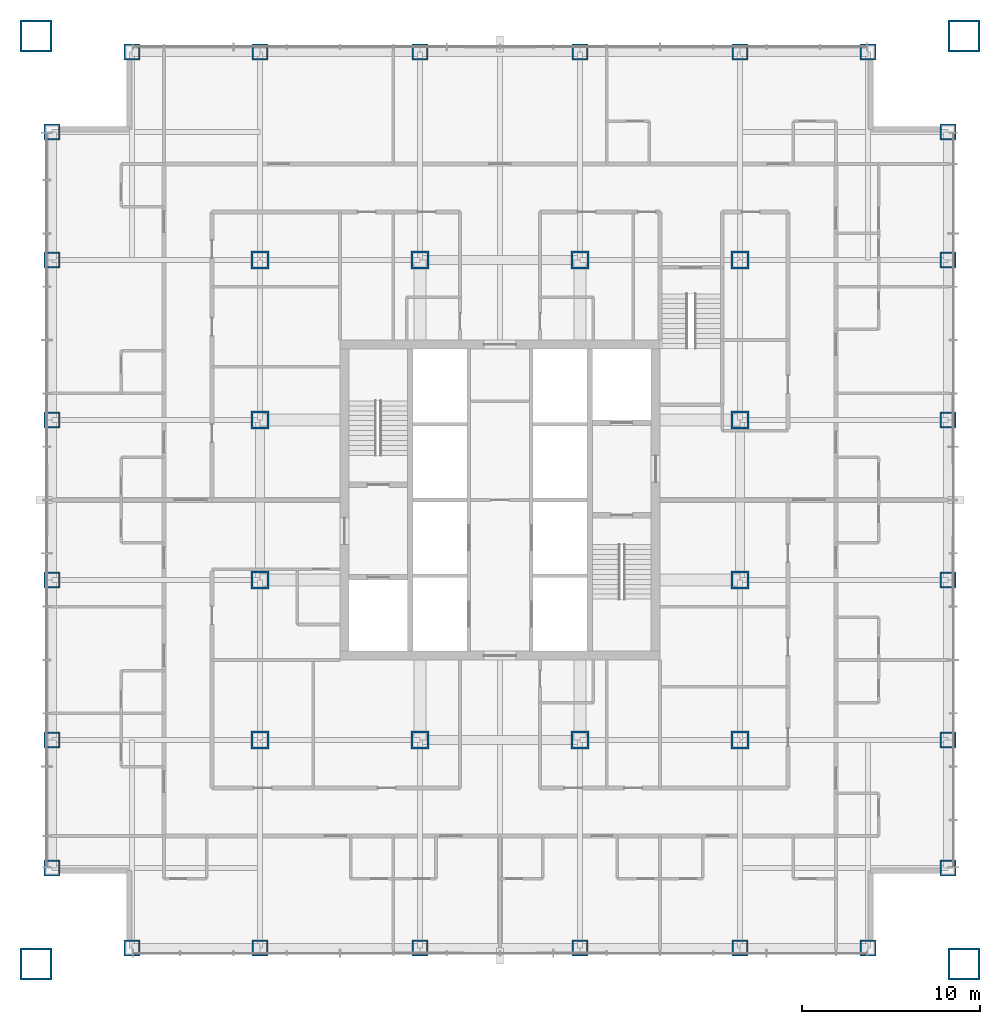
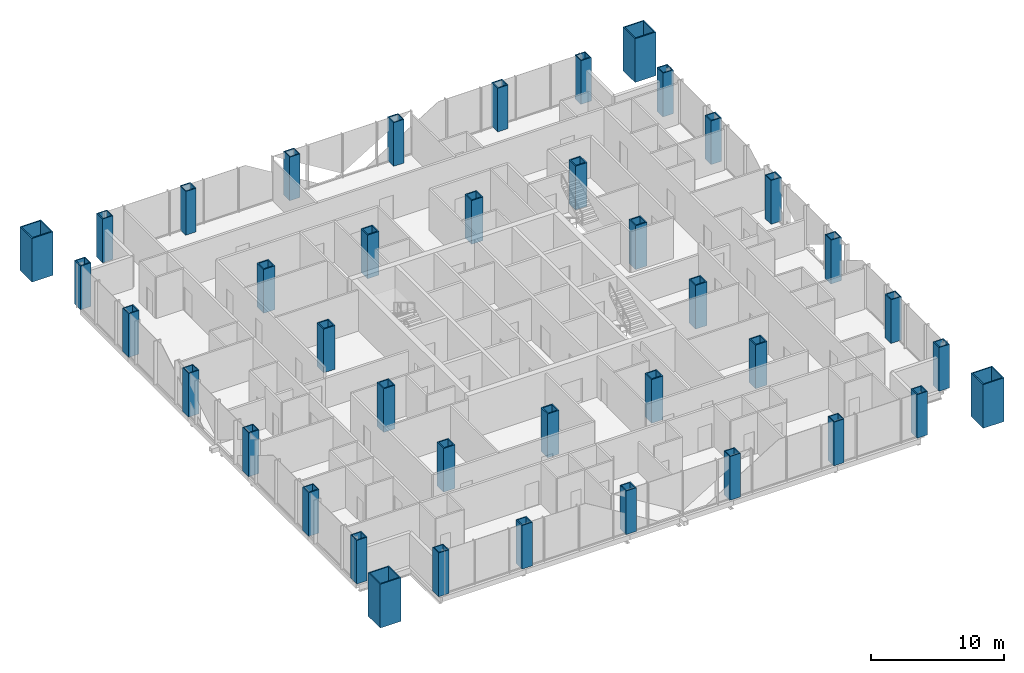
# One storey, part 1 of 13: 40 columns.
"""IFC4 building model written with IfcOpenShell, lengths in metres."""

from ifc_helpers import new_model, si_unit, direction, frame, origin, origin_2d, place, context, subcontext, project, spatial, hollow_rectangle, extrude, material, material_profile, profile_set, type_object, element, save


model = new_model("IFC4")

# Units and contexts
model_context = context("Model", 3, precision=1e-05, world=origin(), true_north=direction((0.0, 1.0)))
body_context = subcontext(model_context, "Body", "Model", "MODEL_VIEW")
ifc_project = project(units=[si_unit("LENGTHUNIT", "METRE"), si_unit("AREAUNIT", "SQUARE_METRE"), si_unit("VOLUMEUNIT", "CUBIC_METRE"), si_unit("PLANEANGLEUNIT", "RADIAN"), si_unit("MASSUNIT", "GRAM", prefix="KILO")], contexts=[model_context])

# Site, building, storey
site_placement = place(None, origin())
site = spatial("IfcSite", under=ifc_project, at=site_placement, CompositionType="ELEMENT")
building_placement = place(site_placement, origin())
building = spatial("IfcBuilding", under=site, at=building_placement, Name="Malebo Sky Hospital", CompositionType="ELEMENT")
storey_placement = place(building_placement, frame((0.0, 0.0, 79.0)))
storey = spatial("IfcBuildingStorey", under=building, at=storey_placement, Name="L18", CompositionType="ELEMENT", Elevation=79.0)

# Columns
ifc_material = material(Name="Steel S460", Category="steel")
ifc_material_profile_1 = material_profile(ifc_material, hollow_rectangle(XDim=1.0, YDim=1.0, WallThickness=0.10009765625, at=origin_2d()), Name="BOX 1000x1000x100")
ifc_profile_set_1 = profile_set([ifc_material_profile_1], Name="Steel S460")
column_type_1 = type_object("IfcColumnType", Name="INNER COLUMN BOX 1000x1000x100", PredefinedType="COLUMN", material=ifc_profile_set_1)
for number, where, z_axis, x_axis, name in (
    (1, (46.5, 48.5, 0.0), (0.0, 0.0, 1.0), (1.0, 0.0, 0.0), "Column IC9 L18"),
    (2, (73.5, 48.5, 0.0), (0.0, 0.0, 1.0), (1.0, 0.0, 0.0), "Column IC9 L18"),
    (3, (73.5, 75.5, 0.0), (0.0, 0.0, 1.0), (1.0, 0.0, 0.0), "Column IC9 L18"),
    (4, (46.5, 75.5, 0.0), (0.0, 0.0, 1.0), (1.0, 0.0, 0.0), "Column IC9 L18"),
    (5, (55.5, 48.5, 0.0), (0.0, 0.0, 1.0), (1.0, 0.0, 0.0), "Column IC9 L18"),
    (6, (64.5, 48.5, 0.0), (0.0, 0.0, 1.0), (1.0, 0.0, 0.0), "Column IC9 L18"),
    (7, (55.5, 75.5, 0.0), (0.0, 0.0, 1.0), (1.0, 0.0, 0.0), "Column IC9 L18"),
    (8, (64.5, 75.5, 0.0), (0.0, 0.0, 1.0), (1.0, 0.0, 0.0), "Column IC9 L18"),
    (9, (46.5, 57.5, 0.0), (0.0, 0.0, 1.0), (1.0, 0.0, 0.0), "Column IC9 L18"),
    (10, (46.5, 66.5, 0.0), (0.0, 0.0, 1.0), (1.0, 0.0, 0.0), "Column IC9 L18"),
    (11, (73.5, 57.5, 0.0), (0.0, 0.0, 1.0), (1.0, 0.0, 0.0), "Column IC9 L18"),
    (12, (73.5, 66.5, 0.0), (0.0, 0.0, 1.0), (1.0, 0.0, 0.0), "Column IC9 L18"),
):
    element("IfcColumn", number, at=place(storey_placement, frame(where, z_axis=z_axis, x_axis=x_axis)), inside=storey, type_object=column_type_1, Name=name, PredefinedType="COLUMN", context=body_context, shape_type="SweptSolid", body=[
        extrude(hollow_rectangle(XDim=1.0, YDim=1.0, WallThickness=0.10009765625, at=origin_2d()), origin(), (0.0, 0.0, 1.0), 4.0),
    ])
ifc_material_profile_2 = material_profile(ifc_material, hollow_rectangle(XDim=1.800048828125, YDim=1.800048828125, WallThickness=0.10009765625, at=origin_2d()), Name="BOX 1800x1800x100")
ifc_profile_set_2 = profile_set([ifc_material_profile_2], Name="Steel S460")
column_type_2 = type_object("IfcColumnType", Name="MEGA COLUMN BOX 1800x1800x100", PredefinedType="COLUMN", material=ifc_profile_set_2)
for number, where, z_axis, x_axis, name in (
    (13, (33.89990234375, 35.89990234375, 0.0), (0.0, 0.0, 1.0), (1.0, 0.0, 0.0), "Mega column SW L18"),
    (14, (86.10009765625, 35.89990234375, 0.0), (0.0, 0.0, 1.0), (1.0, 0.0, 0.0), "Mega column SE L18"),
    (15, (86.10009765625, 88.10009765625, 0.0), (0.0, 0.0, 1.0), (1.0, 0.0, 0.0), "Mega column NE L18"),
    (16, (33.89990234375, 88.10009765625, 0.0), (0.0, 0.0, 1.0), (1.0, 0.0, 0.0), "Mega column NW L18"),
):
    element("IfcColumn", number, at=place(storey_placement, frame(where, z_axis=z_axis, x_axis=x_axis)), inside=storey, type_object=column_type_2, Name=name, PredefinedType="COLUMN", context=body_context, shape_type="SweptSolid", body=[
        extrude(hollow_rectangle(XDim=1.800048828125, YDim=1.800048828125, WallThickness=0.10009765625, at=origin_2d()), origin(), (0.0, 0.0, 1.0), 4.0),
    ])
ifc_material_profile_3 = material_profile(ifc_material, hollow_rectangle(XDim=0.89990234375, YDim=0.89990234375, WallThickness=0.080078125, at=origin_2d()), Name="BOX 900x900x80")
ifc_profile_set_3 = profile_set([ifc_material_profile_3], Name="Steel S460")
column_type_3 = type_object("IfcColumnType", Name="PERIMETER COLUMN BOX 900x900x80", PredefinedType="COLUMN", material=ifc_profile_set_3)
for number, where, z_axis, x_axis, name in (
    (17, (39.300048828125, 36.800048828125, 0.0), (0.0, 0.0, 1.0), (1.0, 0.0, 0.0), "Column PC8 L18"),
    (18, (39.300048828125, 87.199951171875, 0.0), (0.0, 0.0, 1.0), (1.0, 0.0, 0.0), "Column PC8 L18"),
    (19, (34.800048828125, 41.300048828125, 0.0), (0.0, 0.0, 1.0), (1.0, 0.0, 0.0), "Column PC8 L18"),
    (20, (85.199951171875, 41.300048828125, 0.0), (0.0, 0.0, 1.0), (1.0, 0.0, 0.0), "Column PC8 L18"),
    (21, (46.5, 36.800048828125, 0.0), (0.0, 0.0, 1.0), (1.0, 0.0, 0.0), "Column PC8 L18"),
    (22, (46.5, 87.199951171875, 0.0), (0.0, 0.0, 1.0), (1.0, 0.0, 0.0), "Column PC8 L18"),
    (23, (34.800048828125, 48.5, 0.0), (0.0, 0.0, 1.0), (1.0, 0.0, 0.0), "Column PC8 L18"),
    (24, (85.199951171875, 48.5, 0.0), (0.0, 0.0, 1.0), (1.0, 0.0, 0.0), "Column PC8 L18"),
    (25, (55.5, 36.800048828125, 0.0), (0.0, 0.0, 1.0), (1.0, 0.0, 0.0), "Column PC8 L18"),
    (26, (55.5, 87.199951171875, 0.0), (0.0, 0.0, 1.0), (1.0, 0.0, 0.0), "Column PC8 L18"),
    (27, (34.800048828125, 57.5, 0.0), (0.0, 0.0, 1.0), (1.0, 0.0, 0.0), "Column PC8 L18"),
    (28, (85.199951171875, 57.5, 0.0), (0.0, 0.0, 1.0), (1.0, 0.0, 0.0), "Column PC8 L18"),
    (29, (64.5, 36.800048828125, 0.0), (0.0, 0.0, 1.0), (1.0, 0.0, 0.0), "Column PC8 L18"),
    (30, (64.5, 87.199951171875, 0.0), (0.0, 0.0, 1.0), (1.0, 0.0, 0.0), "Column PC8 L18"),
    (31, (34.800048828125, 66.5, 0.0), (0.0, 0.0, 1.0), (1.0, 0.0, 0.0), "Column PC8 L18"),
    (32, (85.199951171875, 66.5, 0.0), (0.0, 0.0, 1.0), (1.0, 0.0, 0.0), "Column PC8 L18"),
    (33, (73.5, 36.800048828125, 0.0), (0.0, 0.0, 1.0), (1.0, 0.0, 0.0), "Column PC8 L18"),
    (34, (73.5, 87.199951171875, 0.0), (0.0, 0.0, 1.0), (1.0, 0.0, 0.0), "Column PC8 L18"),
    (35, (34.800048828125, 75.5, 0.0), (0.0, 0.0, 1.0), (1.0, 0.0, 0.0), "Column PC8 L18"),
    (36, (85.199951171875, 75.5, 0.0), (0.0, 0.0, 1.0), (1.0, 0.0, 0.0), "Column PC8 L18"),
    (37, (80.699951171875, 36.800048828125, 0.0), (0.0, 0.0, 1.0), (1.0, 0.0, 0.0), "Column PC8 L18"),
    (38, (80.699951171875, 87.199951171875, 0.0), (0.0, 0.0, 1.0), (1.0, 0.0, 0.0), "Column PC8 L18"),
    (39, (34.800048828125, 82.699951171875, 0.0), (0.0, 0.0, 1.0), (1.0, 0.0, 0.0), "Column PC8 L18"),
    (40, (85.199951171875, 82.699951171875, 0.0), (0.0, 0.0, 1.0), (1.0, 0.0, 0.0), "Column PC8 L18"),
):
    element("IfcColumn", number, at=place(storey_placement, frame(where, z_axis=z_axis, x_axis=x_axis)), inside=storey, type_object=column_type_3, Name=name, PredefinedType="COLUMN", context=body_context, shape_type="SweptSolid", body=[
        extrude(hollow_rectangle(XDim=0.89990234375, YDim=0.89990234375, WallThickness=0.080078125, at=origin_2d()), origin(), (0.0, 0.0, 1.0), 4.0),
    ])

save(model, "model.ifc")
